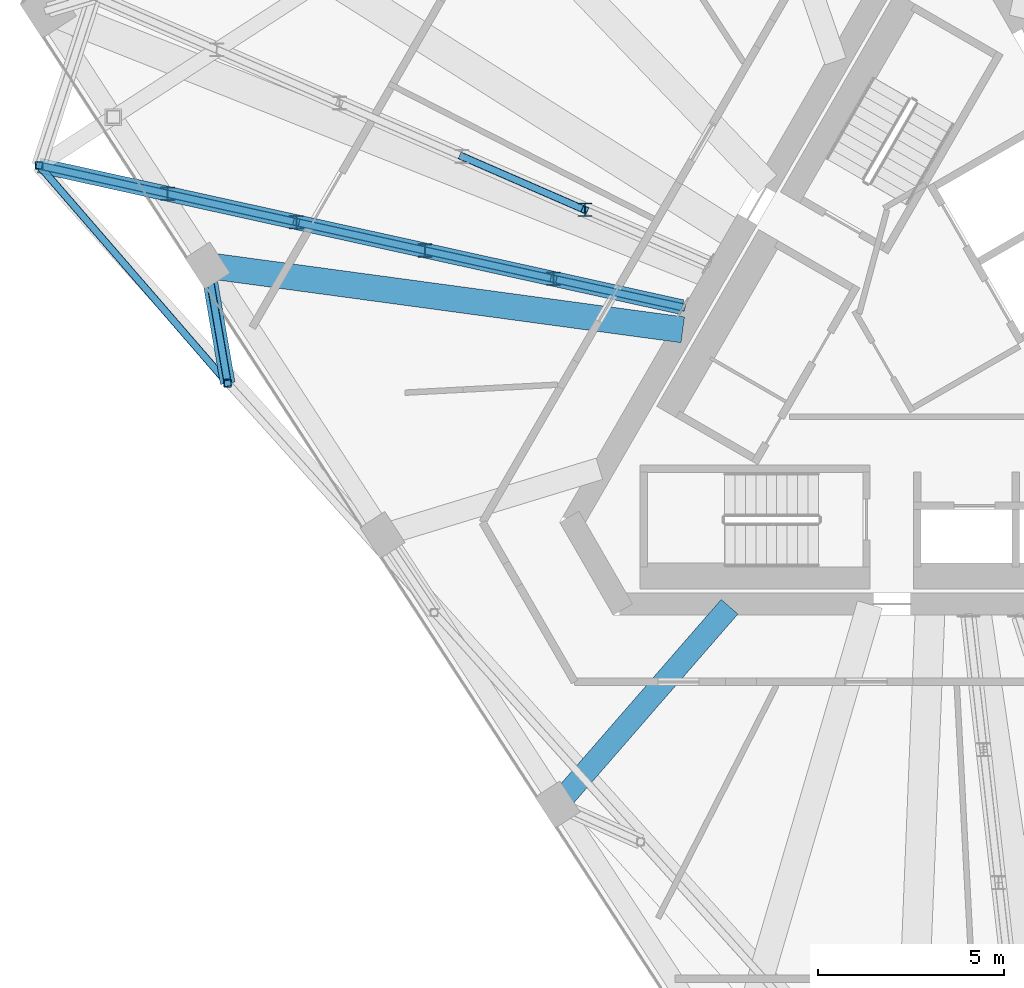
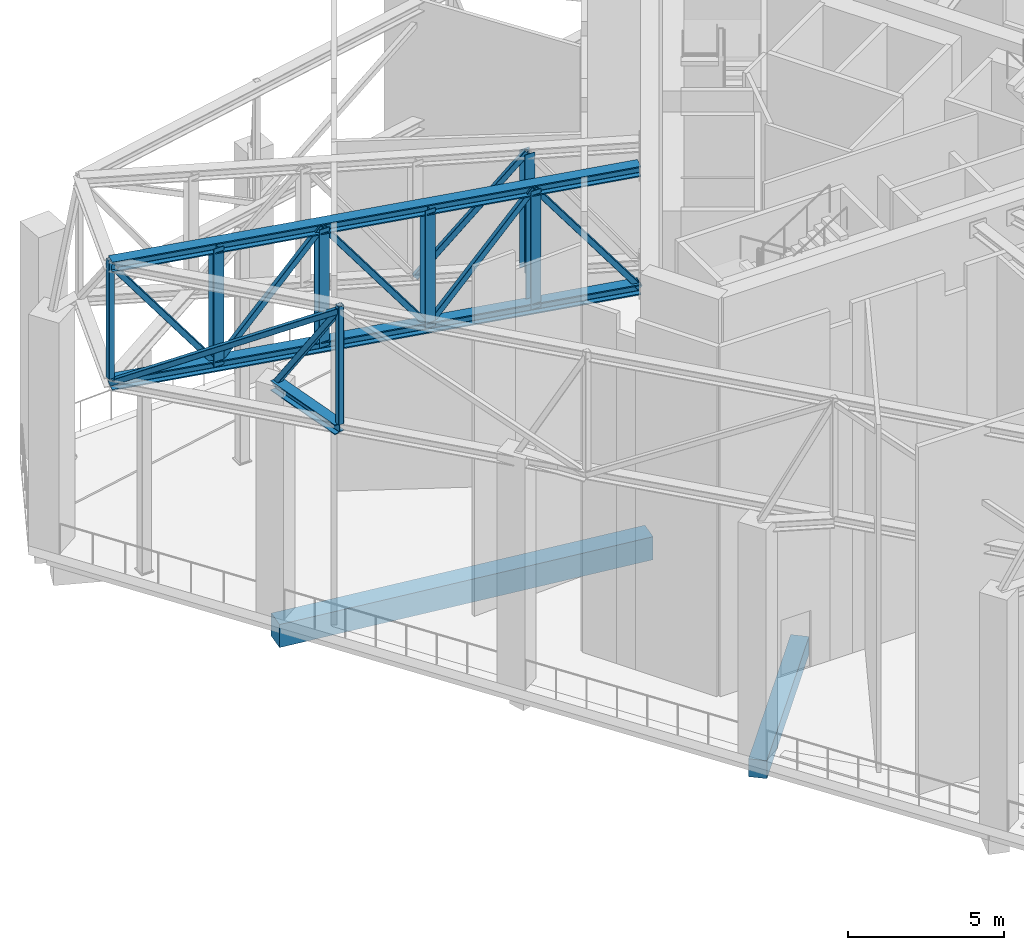
# One storey, part 6 of 23: 18 members, 2 beams.
"""IFC4 building model written with IfcOpenShell, lengths in metres."""

from ifc_helpers import new_model, si_unit, direction, frame, origin, origin_2d, place, context, subcontext, project, spatial, rectangle, hollow_rectangle, i_section, extrude, material, material_profile, profile_set, type_object, element, save


model = new_model("IFC4")

# Units and contexts
model_context = context("Model", 3, precision=1e-05, world=origin(), true_north=direction((0.0, 1.0)))
body_context = subcontext(model_context, "Body", "Model", "MODEL_VIEW")
ifc_project = project(units=[si_unit("LENGTHUNIT", "METRE"), si_unit("AREAUNIT", "SQUARE_METRE"), si_unit("VOLUMEUNIT", "CUBIC_METRE"), si_unit("PLANEANGLEUNIT", "RADIAN"), si_unit("MASSUNIT", "GRAM", prefix="KILO")], contexts=[model_context])

# Site, building, storey
site_placement = place(None, origin())
site = spatial("IfcSite", under=ifc_project, at=site_placement, CompositionType="ELEMENT")
building_placement = place(site_placement, origin())
building = spatial("IfcBuilding", under=site, at=building_placement, Name="Tramontana Tower", CompositionType="ELEMENT")
storey_placement = place(building_placement, frame((0.0, 0.0, 306.39990234375)))
storey = spatial("IfcBuildingStorey", under=building, at=storey_placement, Name="L72", CompositionType="ELEMENT", Elevation=306.39990234375)

# Members
ifc_material_1 = material(Name="Steel ASTM A500 Grade C", Category="steel")
ifc_material_profile_1 = material_profile(ifc_material_1, hollow_rectangle(XDim=0.203125, YDim=0.203125, WallThickness=0.0087890625, InnerFilletRadius=0.0087890625, OuterFilletRadius=0.017822265625, at=origin_2d()), Name="HSS8X8X3/8")
ifc_profile_set_1 = profile_set([ifc_material_profile_1], Name="Steel ASTM A500 Grade C")
member_type_1 = type_object("IfcMemberType", Name="Belt truss HSS8X8X3/8 brace", PredefinedType="BRACE", material=ifc_profile_set_1)
member_1_placement = place(storey_placement, frame((-24.278076171875, 5.368408203125, 8.84375), z_axis=(0.562835890509, -0.649929216761, 0.510693424233), x_axis=(0.7559400674, 0.654640828622, 0.0)))
element("IfcMember", 1, at=member_1_placement, inside=storey, type_object=member_type_1, Name="Belt truss diagonal S0.1", PredefinedType="BRACE", context=body_context, shape_type="SweptSolid", body=[
    extrude(hollow_rectangle(XDim=0.203125, YDim=0.203125, WallThickness=0.0087890625, InnerFilletRadius=0.0087890625, OuterFilletRadius=0.017822265625, at=origin_2d()), origin(), (0.0, 0.0, 1.0), 9.031982421875),
])
ifc_material_2 = material(Name="Steel ASTM A500 Grade C", Category="steel")
ifc_material_profile_2 = material_profile(ifc_material_2, hollow_rectangle(XDim=0.203125, YDim=0.203125, WallThickness=0.0087890625, InnerFilletRadius=0.0087890625, OuterFilletRadius=0.017822265625, at=origin_2d()), Name="HSS8X8X3/8")
ifc_profile_set_2 = profile_set([ifc_material_profile_2], Name="Steel ASTM A500 Grade C")
member_type_2 = type_object("IfcMemberType", Name="Belt truss HSS8X8X3/8 post", PredefinedType="POST", material=ifc_profile_set_2)
for number, where, z_axis, x_axis, name in (
    (2, (-24.278076171875, 5.368408203125, 9.037353515625), (0.0, 0.0, 1.0), (1.0, 0.0, 0.0), "Belt truss post C8K1"),
    (3, (-19.194580078125, -0.501708984375, 9.037353515625), (0.0, 0.0, 1.0), (1.0, 0.0, 0.0), "Belt truss post C8F01"),
):
    element("IfcMember", number, at=place(storey_placement, frame(where, z_axis=z_axis, x_axis=x_axis)), inside=storey, type_object=member_type_2, Name=name, PredefinedType="POST", context=body_context, shape_type="SweptSolid", body=[
        extrude(hollow_rectangle(XDim=0.203125, YDim=0.203125, WallThickness=0.0087890625, InnerFilletRadius=0.0087890625, OuterFilletRadius=0.017822265625, at=origin_2d()), origin(), (0.0, 0.0, 1.0), 4.61279296875),
    ])
ifc_material_3 = material(Name="Steel ASTM A500 Grade C", Category="steel")
ifc_material_profile_3 = material_profile(ifc_material_3, hollow_rectangle(XDim=0.203125, YDim=0.203125, WallThickness=0.0087890625, InnerFilletRadius=0.0087890625, OuterFilletRadius=0.017822265625, at=origin_2d()), Name="HSS8X8X3/8")
ifc_profile_set_3 = profile_set([ifc_material_profile_3], Name="Steel ASTM A500 Grade C")
member_type_3 = type_object("IfcMemberType", Name="Outrigger truss HSS8X8X3/8 brace", PredefinedType="BRACE", material=ifc_profile_set_3)
member_2_placement = place(storey_placement, frame((-9.569580078125, 4.171142578125, 13.456298828125), z_axis=(-0.564791044378, 0.245764371765, -0.787788645362), x_axis=(-0.399003336845, -0.916949473628, 0.0)))
element("IfcMember", 4, at=member_2_placement, inside=storey, type_object=member_type_3, Name="Outrigger truss diagonal 5.2", PredefinedType="BRACE", context=body_context, shape_type="SweptSolid", body=[
    extrude(hollow_rectangle(XDim=0.203125, YDim=0.203125, WallThickness=0.0087890625, InnerFilletRadius=0.0087890625, OuterFilletRadius=0.017822265625, at=origin_2d()), origin(), (0.0, 0.0, 1.0), 5.85498046875),
])
member_3_placement = place(storey_placement, frame((-6.946533203125, 1.54833984375, 8.84375), z_axis=(-0.59556747442, 0.131253037573, 0.792509951698), x_axis=(-0.215218668095, -0.976565883545, 0.0)))
element("IfcMember", 5, at=member_3_placement, inside=storey, type_object=member_type_3, Name="Outrigger truss diagonal 6.1", PredefinedType="BRACE", context=body_context, shape_type="SweptSolid", body=[
    extrude(hollow_rectangle(XDim=0.203125, YDim=0.203125, WallThickness=0.0087890625, InnerFilletRadius=0.0087890625, OuterFilletRadius=0.017822265625, at=origin_2d()), origin(), (0.0, 0.0, 1.0), 5.820068359375),
])
member_4_placement = place(storey_placement, frame((-10.412841796875, 2.312255859375, 13.456298828125), z_axis=(-0.595564194902, 0.131294261871, -0.792505587709), x_axis=(-0.215284262656, -0.976551425299, 0.0)))
element("IfcMember", 6, at=member_4_placement, inside=storey, type_object=member_type_3, Name="Outrigger truss diagonal 6.2", PredefinedType="BRACE", context=body_context, shape_type="SweptSolid", body=[
    extrude(hollow_rectangle(XDim=0.203125, YDim=0.203125, WallThickness=0.0087890625, InnerFilletRadius=0.0087890625, OuterFilletRadius=0.017822265625, at=origin_2d()), origin(), (0.0, 0.0, 1.0), 5.8203125),
])
for number, where, z_axis, x_axis, name in (
    (7, (-13.879150390625, 3.076416015625, 8.84375), (-0.59556747442, 0.131253037573, 0.792509951698), (-0.215218668095, -0.976565883545, 0.0), "Outrigger truss diagonal 6.3"),
    (8, (-17.345458984375, 3.84033203125, 13.456298828125), (-0.59556747442, 0.131253037573, -0.792509951698), (-0.215218668095, -0.976565883545, 0.0), "Outrigger truss diagonal 6.4"),
):
    element("IfcMember", number, at=place(storey_placement, frame(where, z_axis=z_axis, x_axis=x_axis)), inside=storey, type_object=member_type_3, Name=name, PredefinedType="BRACE", context=body_context, shape_type="SweptSolid", body=[
        extrude(hollow_rectangle(XDim=0.203125, YDim=0.203125, WallThickness=0.0087890625, InnerFilletRadius=0.0087890625, OuterFilletRadius=0.017822265625, at=origin_2d()), origin(), (0.0, 0.0, 1.0), 5.820068359375),
    ])
member_5_placement = place(storey_placement, frame((-20.811767578125, 4.604248046875, 8.84375), z_axis=(-0.595564194902, 0.131294261871, 0.792505587709), x_axis=(-0.215284262656, -0.976551425299, 0.0)))
element("IfcMember", 9, at=member_5_placement, inside=storey, type_object=member_type_3, Name="Outrigger truss diagonal 6.5", PredefinedType="BRACE", context=body_context, shape_type="SweptSolid", body=[
    extrude(hollow_rectangle(XDim=0.203125, YDim=0.203125, WallThickness=0.0087890625, InnerFilletRadius=0.0087890625, OuterFilletRadius=0.017822265625, at=origin_2d()), origin(), (0.0, 0.0, 1.0), 5.8203125),
])
ifc_material_4 = material(Name="Steel ASTM A992 Grade 50", Category="steel")
ifc_material_profile_4 = material_profile(ifc_material_4, i_section(OverallWidth=0.4033203125, OverallDepth=0.406494140625, WebThickness=0.027099609375, FlangeThickness=0.04443359375, FilletRadius=0.01513671875, at=origin_2d()), Name="W14X233")
ifc_profile_set_4 = profile_set([ifc_material_profile_4], Name="Steel ASTM A992 Grade 50")
member_type_4 = type_object("IfcMemberType", Name="Outrigger truss W14X233 chord", PredefinedType="CHORD", material=ifc_profile_set_4)
for number, where, z_axis, x_axis, name in (
    (10, (-6.946533203125, 1.54833984375, 8.84375), (-0.976560100724, 0.215244906269, 0.0), (-0.215244906269, -0.976560100724, 0.0), "Outrigger truss bottom chord 6"),
    (11, (-6.946533203125, 1.54833984375, 13.456298828125), (-0.976560100724, 0.215244906269, 0.0), (-0.215244906269, -0.976560100724, 0.0), "Outrigger truss top chord 6"),
):
    element("IfcMember", number, at=place(storey_placement, frame(where, z_axis=z_axis, x_axis=x_axis)), inside=storey, type_object=member_type_4, Name=name, PredefinedType="CHORD", context=body_context, shape_type="SweptSolid", body=[
        extrude(i_section(OverallWidth=0.4033203125, OverallDepth=0.406494140625, WebThickness=0.027099609375, FlangeThickness=0.04443359375, FilletRadius=0.01513671875, at=origin_2d()), origin(), (0.0, 0.0, 1.0), 17.74755859375),
    ])
ifc_material_5 = material(Name="Steel ASTM A992 Grade 50", Category="steel")
ifc_material_profile_5 = material_profile(ifc_material_5, i_section(OverallWidth=0.368408203125, OverallDepth=0.355712890625, WebThickness=0.01123046875, FlangeThickness=0.017578125, FilletRadius=0.01513671875, at=origin_2d()), Name="W14X90")
ifc_profile_set_5 = profile_set([ifc_material_profile_5], Name="Steel ASTM A992 Grade 50")
member_type_5 = type_object("IfcMemberType", Name="Outrigger truss W14X90 post", PredefinedType="POST", material=ifc_profile_set_5)
for number, where, z_axis, x_axis, name in (
    (12, (-9.569580078125, 4.171142578125, 8.84375), (0.0, 0.0, 1.0), (1.0, 0.0, 0.0), "Outrigger truss post 5.1"),
    (13, (-10.412841796875, 2.312255859375, 8.84375), (0.0, 0.0, 1.0), (1.0, 0.0, 0.0), "Outrigger truss post 6.1"),
    (14, (-13.879150390625, 3.076416015625, 8.84375), (0.0, 0.0, 1.0), (1.0, 0.0, 0.0), "Outrigger truss post 6.2"),
    (15, (-17.345458984375, 3.84033203125, 8.84375), (0.0, 0.0, 1.0), (1.0, 0.0, 0.0), "Outrigger truss post 6.3"),
    (16, (-20.811767578125, 4.604248046875, 8.84375), (0.0, 0.0, 1.0), (1.0, 0.0, 0.0), "Outrigger truss post 6.4"),
):
    element("IfcMember", number, at=place(storey_placement, frame(where, z_axis=z_axis, x_axis=x_axis)), inside=storey, type_object=member_type_5, Name=name, PredefinedType="POST", context=body_context, shape_type="SweptSolid", body=[
        extrude(i_section(OverallWidth=0.368408203125, OverallDepth=0.355712890625, WebThickness=0.01123046875, FlangeThickness=0.017578125, FilletRadius=0.01513671875, at=origin_2d()), origin(), (0.0, 0.0, 1.0), 4.612548828125),
    ])

# Beams
ifc_material_6 = material(Name="Concrete 40 MPa", Category="concrete")
ifc_material_profile_6 = material_profile(ifc_material_6, rectangle(XDim=0.60009765625, YDim=0.699951171875, at=origin_2d()), Name="RC GIRDER 600X700 40 MPa")
ifc_profile_set_6 = profile_set([ifc_material_profile_6], Name="Concrete 40 MPa")
beam_type_1 = type_object("IfcBeamType", Name="RC GIRDER 600X700 40 MPa", PredefinedType="BEAM", material=ifc_profile_set_6)
beam_1_placement = place(storey_placement, frame((-10.3056640625, -11.855712890625, -0.699951171875), z_axis=(0.656054652409, 0.754713384705, 0.0), x_axis=(-0.754713384705, 0.656054652409, 0.0)))
element("IfcBeam", 17, at=beam_1_placement, inside=storey, type_object=beam_type_1, Name="Radial girder C7F03 L72", PredefinedType="BEAM", context=body_context, shape_type="SweptSolid", body=[
    extrude(rectangle(XDim=0.60009765625, YDim=0.699951171875, at=origin_2d()), origin(), (0.0, 0.0, 1.0), 7.06494140625),
])
ifc_material_7 = material(Name="Concrete 40 MPa", Category="concrete")
ifc_material_profile_7 = material_profile(ifc_material_7, rectangle(XDim=0.699951171875, YDim=0.89990234375, at=origin_2d()), Name="RC GIRDER 700X900 40 MPa")
ifc_profile_set_7 = profile_set([ifc_material_profile_7], Name="Concrete 40 MPa")
beam_type_2 = type_object("IfcBeamType", Name="RC GIRDER 700X900 40 MPa", PredefinedType="BEAM", material=ifc_profile_set_7)
beam_2_placement = place(storey_placement, frame((-19.739013671875, 2.670654296875, -0.7998046875), z_axis=(0.990971820042, -0.134070324396, 0.0), x_axis=(0.134070324396, 0.990971820042, 0.0)))
element("IfcBeam", 18, at=beam_2_placement, inside=storey, type_object=beam_type_2, Name="Radial girder C7F01 L72", PredefinedType="BEAM", context=body_context, shape_type="SweptSolid", body=[
    extrude(rectangle(XDim=0.699951171875, YDim=0.89990234375, at=origin_2d()), origin(), (0.0, 0.0, 1.0), 12.923583984375),
])

# Members
ifc_material_8 = material(Name="Steel ASTM A500 Grade C", Category="steel")
ifc_material_profile_8 = material_profile(ifc_material_8, hollow_rectangle(XDim=0.203125, YDim=0.203125, WallThickness=0.0087890625, InnerFilletRadius=0.0087890625, OuterFilletRadius=0.017822265625, at=origin_2d()), Name="HSS8X8X3/8")
ifc_profile_set_8 = profile_set([ifc_material_profile_8], Name="Steel ASTM A500 Grade C")
member_type_6 = type_object("IfcMemberType", Name="Transfer truss HSS8X8X3/8 brace", PredefinedType="BRACE", material=ifc_profile_set_8)
member_6_placement = place(storey_placement, frame((-19.739013671875, 2.670654296875, 8.84375), z_axis=(0.096795416877, -0.564017778877, 0.820069870427), x_axis=(0.985591200553, 0.169144865109, 0.0)))
element("IfcMember", 19, at=member_6_placement, inside=storey, type_object=member_type_6, Name="Transfer truss strut C8F01 diagonal", PredefinedType="BRACE", context=body_context, shape_type="SweptSolid", body=[
    extrude(hollow_rectangle(XDim=0.203125, YDim=0.203125, WallThickness=0.0087890625, InnerFilletRadius=0.0087890625, OuterFilletRadius=0.017822265625, at=origin_2d()), origin(), (0.0, 0.0, 1.0), 5.62451171875),
])
ifc_material_9 = material(Name="Steel ASTM A992 Grade 50", Category="steel")
ifc_material_profile_9 = material_profile(ifc_material_9, i_section(OverallWidth=0.39697265625, OverallDepth=0.387451171875, WebThickness=0.020751953125, FlangeThickness=0.033447265625, FilletRadius=0.01513671875, at=origin_2d()), Name="W14X176")
ifc_profile_set_9 = profile_set([ifc_material_profile_9], Name="Steel ASTM A992 Grade 50")
member_type_7 = type_object("IfcMemberType", Name="Transfer truss W14X176 strut", PredefinedType="STRUT", material=ifc_profile_set_9)
member_7_placement = place(storey_placement, frame((-19.739013671875, 2.670654296875, 8.84375), z_axis=(0.169144865109, -0.985591200553, 0.0), x_axis=(0.985591200553, 0.169144865109, 0.0)))
element("IfcMember", 20, at=member_7_placement, inside=storey, type_object=member_type_7, Name="Transfer truss strut C8F01 bottom", PredefinedType="STRUT", context=body_context, shape_type="SweptSolid", body=[
    extrude(i_section(OverallWidth=0.39697265625, OverallDepth=0.387451171875, WebThickness=0.020751953125, FlangeThickness=0.033447265625, FilletRadius=0.01513671875, at=origin_2d()), origin(), (0.0, 0.0, 1.0), 3.21875),
])

save(model, "model.ifc")
